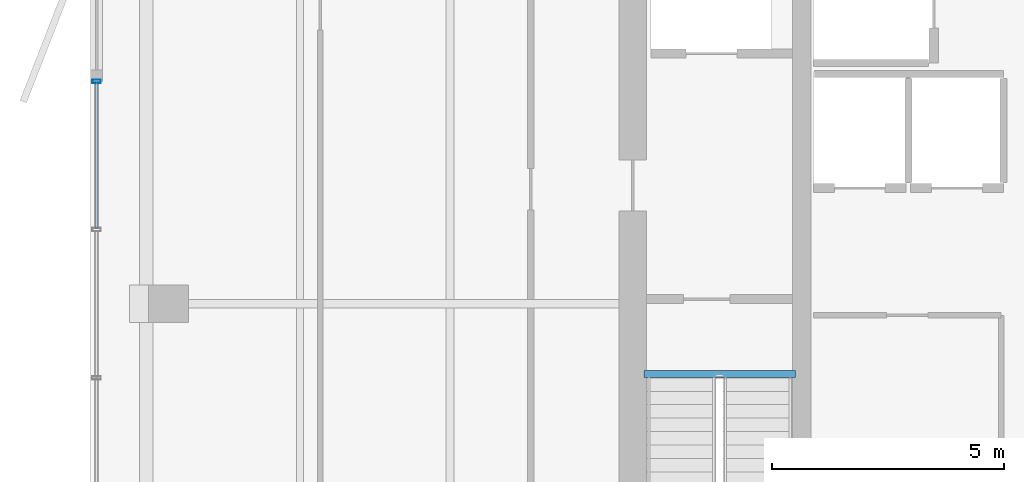
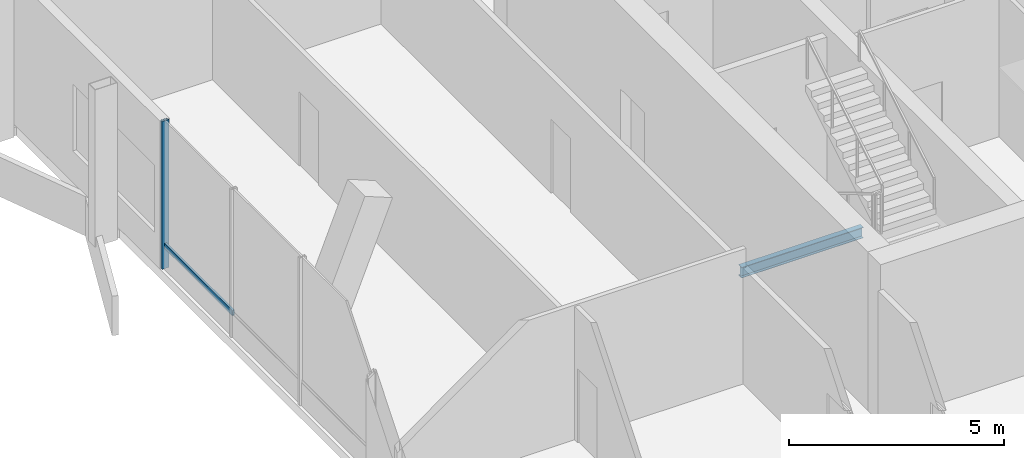
# One storey, part 5 of 16: 2 members, 1 beam, 1 element without a shape of its own.
"""IFC4 building model written with IfcOpenShell, lengths in metres."""

from ifc_helpers import new_model, si_unit, direction, frame, origin, origin_2d, place, context, subcontext, project, spatial, hollow_rectangle, i_section, extrude, material, layer, layer_set, material_profile, profile_set, type_object, element, aggregate, save


model = new_model("IFC4")

# Units and contexts
model_context = context("Model", 3, precision=1e-05, world=origin(), true_north=direction((0.0, 1.0)))
body_context = subcontext(model_context, "Body", "Model", "MODEL_VIEW")
ifc_project = project(units=[si_unit("LENGTHUNIT", "METRE"), si_unit("AREAUNIT", "SQUARE_METRE"), si_unit("VOLUMEUNIT", "CUBIC_METRE"), si_unit("PLANEANGLEUNIT", "RADIAN"), si_unit("MASSUNIT", "GRAM", prefix="KILO")], contexts=[model_context])

# Site, building, storey
site_placement = place(None, origin())
site = spatial("IfcSite", under=ifc_project, at=site_placement, CompositionType="ELEMENT")
building_placement = place(site_placement, origin())
building = spatial("IfcBuilding", under=site, at=building_placement, Name="Belovzor Exchange Tower", CompositionType="ELEMENT")
storey_placement = place(building_placement, frame((0.0, 0.0, 364.5)))
storey = spatial("IfcBuildingStorey", under=building, at=storey_placement, Name="L91", CompositionType="ELEMENT", Elevation=364.5)

# Beam
ifc_material_1 = material(Name="Steel S355", Category="steel")
ifc_material_profile_1 = material_profile(ifc_material_1, i_section(OverallWidth=0.14990234375, OverallDepth=0.300048828125, WebThickness=0.007080078125, FlangeThickness=0.0107421875, at=origin_2d()))
ifc_profile_set_1 = profile_set([ifc_material_profile_1], Name="Steel S355")
beam_type = type_object("IfcBeamType", Name="Secondary Trim Floor Joist IPE 300", PredefinedType="BEAM", material=ifc_profile_set_1)
beam_placement = place(storey_placement, frame((20.340087890625, 27.280029296875, -0.409912109375), z_axis=(1.0, 0.0, 0.0), x_axis=(0.0, 1.0, 0.0)))
element("IfcBeam", 1, at=beam_placement, inside=storey, type_object=beam_type, Name="FJ-300 Secondary Trim Floor Joist IPE 300", PredefinedType="BEAM", context=body_context, shape_type="SweptSolid", body=[
    extrude(i_section(OverallWidth=0.14990234375, OverallDepth=0.300048828125, WebThickness=0.007080078125, FlangeThickness=0.0107421875, at=origin_2d()), origin(), (0.0, 0.0, 1.0), 3.27001953125),
])

# Curtain wall, members
ifc_material_2 = material(Name="Anodised Aluminium Framing", Category="aluminium")
ifc_layer = layer(ifc_material_2, 0.169921875)
ifc_layer_set = layer_set([ifc_layer], Name="Anodised Aluminium Framing")
curtain_wall_type = type_object("IfcCurtainWallType", Name="Stepped Crown Faceted Lantern Curtain Wall", PredefinedType="NOTDEFINED", material=ifc_layer_set)
curtain_wall_placement = place(storey_placement, origin())
curtain_wall = element("IfcCurtainWall", 2, at=curtain_wall_placement, inside=storey, type_object=curtain_wall_type, Name="CW6 Stepped Crown Faceted Lantern Curtain Wall L91", PredefinedType="NOTDEFINED")
ifc_material_3 = material(Name="Steel S355", Category="steel")
ifc_material_profile_2 = material_profile(ifc_material_3, hollow_rectangle(XDim=0.074951171875, YDim=0.179931640625, WallThickness=0.0048828125, at=origin_2d()))
ifc_profile_set_2 = profile_set([ifc_material_profile_2], Name="Steel S355")
member_type_1 = type_object("IfcMemberType", Name="Thermally Broken Curtain Wall Mullion 180x75", PredefinedType="MULLION", material=ifc_profile_set_2)
member_1_placement = place(storey_placement, frame((8.530029296875, 33.60009765625, 0.0), z_axis=(0.0, 0.0, 1.0), x_axis=(0.0, 1.0, 0.0)))
member_1 = element("IfcMember", 3, at=member_1_placement, type_object=member_type_1, Name="CW-M180 Curtain Wall Mullion 4", PredefinedType="MULLION", context=body_context, shape_type="SweptSolid", body=[
    extrude(hollow_rectangle(XDim=0.074951171875, YDim=0.179931640625, WallThickness=0.0048828125, at=origin_2d()), origin(), (0.0, 0.0, 1.0), 4.199951171875),
])
ifc_material_4 = material(Name="Steel S355", Category="steel")
ifc_material_profile_3 = material_profile(ifc_material_4, hollow_rectangle(XDim=0.06005859375, YDim=0.14990234375, WallThickness=0.00390625, at=origin_2d()))
ifc_profile_set_3 = profile_set([ifc_material_profile_3], Name="Steel S355")
member_type_2 = type_object("IfcMemberType", Name="Thermally Broken Curtain Wall Transom 150x60", PredefinedType="USERDEFINED", material=ifc_profile_set_3)
member_2_placement = place(storey_placement, frame((8.530029296875, 30.407958984375, 0.64990234375), z_axis=(0.0, 1.0, 0.0), x_axis=(-1.0, 0.0, 0.0)))
member_2 = element("IfcMember", 4, at=member_2_placement, type_object=member_type_2, Name="CW-T150 Curtain Wall Transom 3", ObjectType="TRANSOM", PredefinedType="USERDEFINED", context=body_context, shape_type="SweptSolid", body=[
    extrude(hollow_rectangle(XDim=0.06005859375, YDim=0.14990234375, WallThickness=0.00390625, at=origin_2d()), origin(), (0.0, 0.0, 1.0), 3.18408203125),
])
aggregate(curtain_wall, [member_1, member_2])

save(model, "model.ifc")
